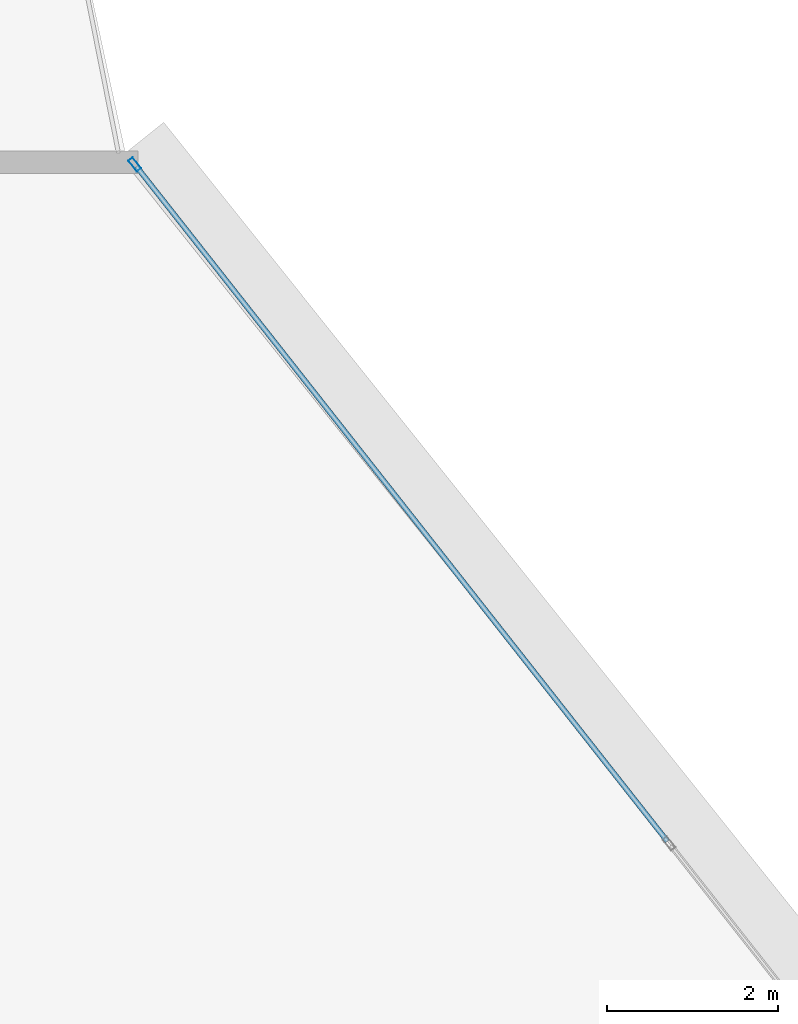
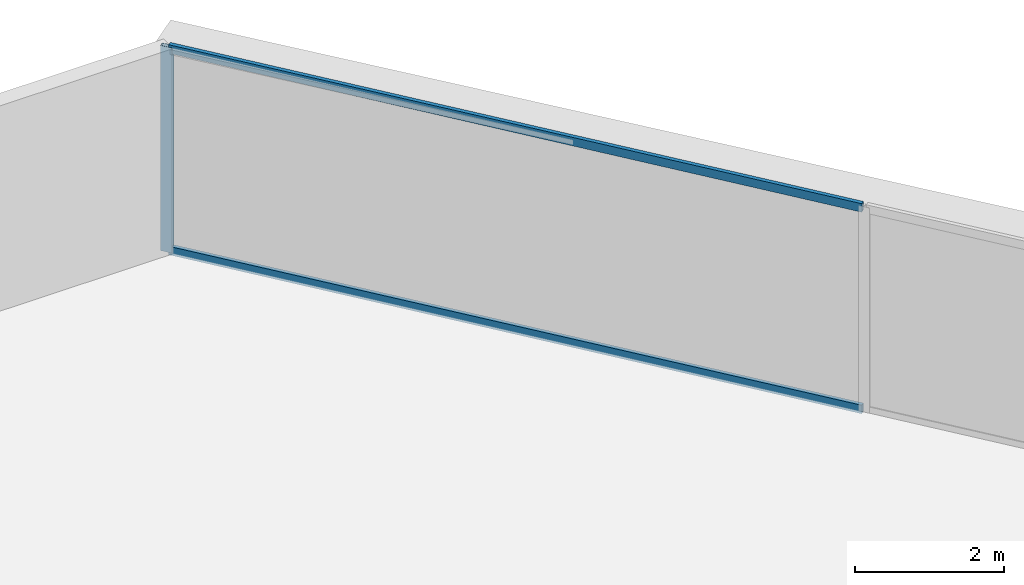
# One storey, part 29 of 42: 3 members, 1 element without a shape of its own.
"""IFC4 building model written with IfcOpenShell, lengths in metres."""

from ifc_helpers import new_model, si_unit, direction, frame, origin, origin_2d, place, context, subcontext, project, spatial, hollow_rectangle, extrude, source, transform, mapped, material, layer, layer_set, material_profile, profile_set, type_object, element, aggregate, save


model = new_model("IFC4")

# Units and contexts
model_context = context("Model", 3, precision=1e-05, world=origin(), true_north=direction((0.0, 1.0)))
body_context = subcontext(model_context, "Body", "Model", "MODEL_VIEW")
ifc_project = project(units=[si_unit("LENGTHUNIT", "METRE"), si_unit("AREAUNIT", "SQUARE_METRE"), si_unit("VOLUMEUNIT", "CUBIC_METRE"), si_unit("PLANEANGLEUNIT", "RADIAN"), si_unit("MASSUNIT", "GRAM", prefix="KILO"), si_unit("THERMODYNAMICTEMPERATUREUNIT", "KELVIN"), si_unit("POWERUNIT", "WATT")], contexts=[model_context])

# Site, building, storey
site_placement = place(None, origin())
site = spatial("IfcSite", under=ifc_project, at=site_placement, CompositionType="ELEMENT")
building_placement = place(site_placement, origin())
building = spatial("IfcBuilding", under=site, at=building_placement, Name="Yunzhuo Pagoda Commons", CompositionType="ELEMENT")
storey_placement = place(building_placement, frame((0.0, 0.0, 44.919921875)))
storey = spatial("IfcBuildingStorey", under=building, at=storey_placement, Name="L11", CompositionType="ELEMENT", Elevation=44.919921875)

# Curtain wall, members
ifc_material = material(Name="Anodized aluminium 6063-T6", Category="aluminium")
ifc_layer = layer(ifc_material, 0.1650390625)
ifc_layer_set = layer_set([ifc_layer], Name="Anodized aluminium 6063-T6")
curtain_wall_type = type_object("IfcCurtainWallType", Name="CW-LOW Low-Zone Ribbon Curtain Wall", PredefinedType="NOTDEFINED", material=ifc_layer_set)
curtain_wall_placement = place(storey_placement, origin())
curtain_wall = element("IfcCurtainWall", 1, at=curtain_wall_placement, inside=storey, type_object=curtain_wall_type, Name="L11 curtain wall CW-L11-F2B5", PredefinedType="NOTDEFINED")
ifc_material_profile_1 = material_profile(ifc_material, hollow_rectangle(XDim=0.06494140625, YDim=0.1650390625, WallThickness=0.00390625, at=origin_2d()), Name="Anodized aluminium 6063-T6")
ifc_profile_set_1 = profile_set([ifc_material_profile_1], Name="Anodized aluminium 6063-T6")
member_type_1 = type_object("IfcMemberType", Name="CW-LOW-M Mullion RHS 165x65x4", PredefinedType="MULLION", material=ifc_profile_set_1)
shared_shape_1 = source(origin(), body_context, "Body", "SweptSolid", [
    extrude(hollow_rectangle(XDim=0.06494140625, YDim=0.1650390625, WallThickness=0.00390625, at=origin_2d()), origin(), (0.0, 0.0, 1.0), 3.3701171875),
])
member_1_placement = place(storey_placement, frame((52.73828125, 88.5400390625, 0.0), z_axis=(0.0, 0.0, 1.0), x_axis=(-0.785883026265, -0.61837518468, 0.0)))
member_1 = element("IfcMember", 2, at=member_1_placement, type_object=member_type_1, Name="CW mullion 3", PredefinedType="MULLION", context=body_context, shape_type="MappedRepresentation", body=[
    mapped(shared_shape_1, transform((0.0, 0.0, 0.0), scale=1.0)),
])
ifc_material_profile_2 = material_profile(ifc_material, hollow_rectangle(XDim=0.06005859375, YDim=0.139892578125, WallThickness=0.00341796875, at=origin_2d()), Name="Anodized aluminium 6063-T6")
ifc_profile_set_2 = profile_set([ifc_material_profile_2], Name="Anodized aluminium 6063-T6")
member_type_2 = type_object("IfcMemberType", Name="CW-LOW-T Transom RHS 140x60x3.5", PredefinedType="USERDEFINED", material=ifc_profile_set_2)
shared_shape_2 = source(origin(), body_context, "Body", "SweptSolid", [
    extrude(hollow_rectangle(XDim=0.06005859375, YDim=0.139892578125, WallThickness=0.00341796875, at=origin_2d()), origin(), (0.0, 0.0, 1.0), 10.04248046875),
])
member_2_placement = place(storey_placement, frame((58.968505859375, 80.6220703125, 0.030029296875), z_axis=(-0.618365747767, 0.785890451646, 0.0), x_axis=(-0.785890451646, -0.618365747767, 0.0)))
member_2 = element("IfcMember", 3, at=member_2_placement, type_object=member_type_2, Name="CW transom 2.1", ObjectType="TRANSOM", PredefinedType="USERDEFINED", context=body_context, shape_type="MappedRepresentation", body=[
    mapped(shared_shape_2, transform((0.0, 0.0, 0.0), scale=1.0)),
])
member_3_placement = place(storey_placement, frame((58.968505859375, 80.6220703125, 3.340087890625), z_axis=(-0.618365747767, 0.785890451646, 0.0), x_axis=(-0.785890451646, -0.618365747767, 0.0)))
member_3 = element("IfcMember", 4, at=member_3_placement, type_object=member_type_2, Name="CW transom 2.2", ObjectType="TRANSOM", PredefinedType="USERDEFINED", context=body_context, shape_type="MappedRepresentation", body=[
    mapped(shared_shape_2, transform((0.0, 0.0, 0.0), scale=1.0)),
])
aggregate(curtain_wall, [member_1, member_2, member_3])

save(model, "model.ifc")
